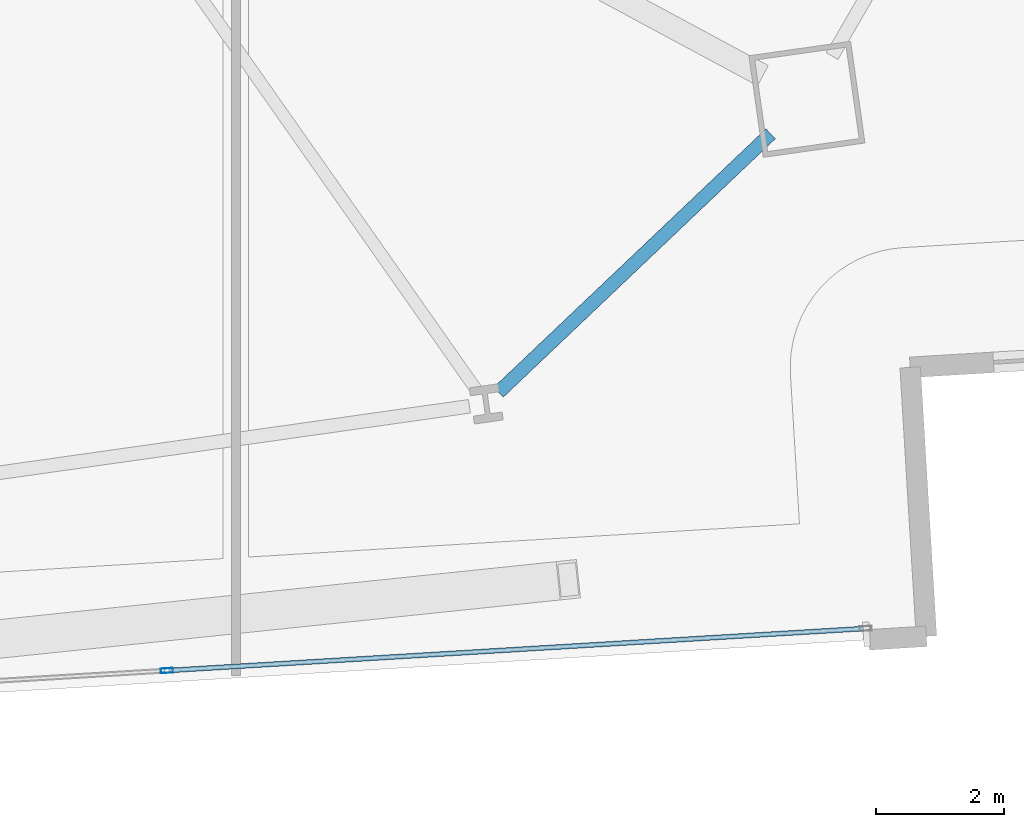
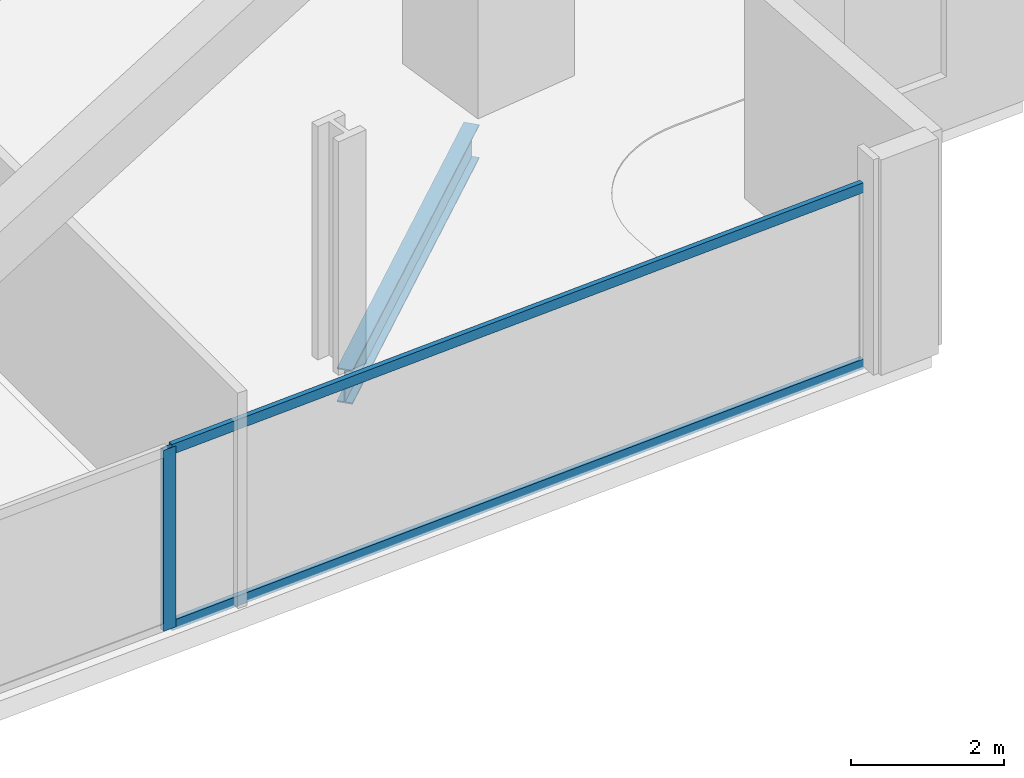
# One storey, part 9 of 34: 3 members, 1 beam, 1 element without a shape of its own.
"""IFC4 building model written with IfcOpenShell, lengths in metres."""

import ifcopenshell
import ifcopenshell.guid

model = None  # the IFC model being written
_history = None  # IfcOwnerHistory: only IFC2X3 demands one
_inside = {}  # id of a spatial element -> (the spatial element, [elements in it])
_under = {}  # id of a project, library or spatial element -> (it, [spatial elements below it])
_declared = {}  # id of a project -> (the project, [libraries it declares])
_typed = {}  # id of a type object -> (the type object, [elements of that type])
_made_of = {}  # id of a material, layer set ... -> (it, [elements and type objects made of it])


def new_model(schema):
    """Start an empty IFC model of exactly this schema.

    Asked for "IFC4X3", IfcOpenShell would pick the latest addendum, in which some entities
    have other attributes; the version numbers below select the first issue.
    IFC2X3 requires an IfcOwnerHistory on every rooted entity: one is made here for all.
    """
    global model, _history
    if schema == "IFC4X3":
        model = ifcopenshell.file(schema_version=(4, 3, 0, 0))
    else:
        model = ifcopenshell.file(schema=schema)
    _inside.clear()
    _under.clear()
    _declared.clear()
    _typed.clear()
    _made_of.clear()
    _history = None
    if model.schema == "IFC2X3":
        org = make("IfcOrganization", Name="unknown")
        user = make(
            "IfcPersonAndOrganization",
            ThePerson=make("IfcPerson", FamilyName="unknown"),
            TheOrganization=org,
        )
        app = make(
            "IfcApplication",
            ApplicationDeveloper=org,
            Version="unknown",
            ApplicationFullName="unknown",
            ApplicationIdentifier="unknown",
        )
        _history = make(
            "IfcOwnerHistory",
            OwningUser=user,
            OwningApplication=app,
            ChangeAction="ADDED",
            CreationDate=0,
        )
    return model


def make(cls, **values):
    """One entity of the class cls with the attributes given. An attribute that is None is left unset."""
    return model.create_entity(
        cls, **{name: value for name, value in values.items() if value is not None}
    )


def rooted(cls, **values):
    """An entity with a GlobalId (a new one), such as an element, a storey or a relation."""
    return make(cls, GlobalId=ifcopenshell.guid.new(), OwnerHistory=_history, **values)


def si_unit(unit_type, name, prefix=None):
    """IfcSIUnit, for example si_unit("LENGTHUNIT", "METRE", prefix="MILLI")."""
    return make("IfcSIUnit", UnitType=unit_type, Prefix=prefix, Name=name)


def assignment(units):
    """IfcUnitAssignment: the units of a project."""
    return None if units is None else make("IfcUnitAssignment", Units=units)


def point(xyz):
    """IfcCartesianPoint."""
    return None if xyz is None else make("IfcCartesianPoint", Coordinates=xyz)


def direction(xyz):
    """IfcDirection."""
    return None if xyz is None else make("IfcDirection", DirectionRatios=xyz)


def frame(location, z_axis=None, x_axis=None):
    """IfcAxis2Placement3D, a coordinate frame: its origin and axes. An axis left out is left unset."""
    return make(
        "IfcAxis2Placement3D",
        Location=point(location),
        Axis=direction(z_axis),
        RefDirection=direction(x_axis),
    )


def frame_2d(location, x_axis=None):
    """IfcAxis2Placement2D, a coordinate frame in the plane: its origin and x axis."""
    return make(
        "IfcAxis2Placement2D", Location=point(location), RefDirection=direction(x_axis)
    )


def origin():
    """The frame at (0, 0, 0) with its axes left unset."""
    return frame((0.0, 0.0, 0.0))


def origin_2d():
    """The frame at (0, 0) in the plane with its x axis left unset."""
    return frame_2d((0.0, 0.0))


def place(relative_to, where):
    """IfcLocalPlacement: puts the frame where relative to a parent placement (None: the world)."""
    return make(
        "IfcLocalPlacement", PlacementRelTo=relative_to, RelativePlacement=where
    )


def context(
    kind, dimensions, precision=None, world=None, true_north=None, identifier=None
):
    """IfcGeometricRepresentationContext, for example the 3D "Model" context."""
    return make(
        "IfcGeometricRepresentationContext",
        ContextIdentifier=identifier,
        ContextType=kind,
        CoordinateSpaceDimension=dimensions,
        Precision=precision,
        WorldCoordinateSystem=world,
        TrueNorth=true_north,
    )


def subcontext(parent, identifier, kind, view, scale=None):
    """IfcGeometricRepresentationSubContext, for example "Body" below "Model"."""
    return make(
        "IfcGeometricRepresentationSubContext",
        ContextIdentifier=identifier,
        ContextType=kind,
        ParentContext=parent,
        TargetScale=scale,
        TargetView=view,
    )


def project(units=None, contexts=None):
    """IfcProject with its units and contexts."""
    return rooted(
        "IfcProject",
        Name="project",
        RepresentationContexts=contexts,
        UnitsInContext=assignment(units),
    )


def spatial(cls, under=None, at=None, **own):
    """A site, building, storey or space (cls), placed at a placement, below another one or the project."""
    s = rooted(cls, ObjectPlacement=at, **own)
    if under is not None:
        _under.setdefault(under.id(), (under, []))[1].append(s)
    return s


def profile(cls, at=None, kind="AREA", **sizes):
    """A parametric profile (cls). Its sizes go by their IFC names, for example OverallWidth=200.0."""
    return make(cls, ProfileType=kind, Position=at, **sizes)


def hollow_rectangle(**sizes):
    """IfcRectangleHollowProfileDef."""
    return profile("IfcRectangleHollowProfileDef", **sizes)


def i_section(**sizes):
    """IfcIShapeProfileDef."""
    return profile("IfcIShapeProfileDef", **sizes)


def extrude(swept, where, along, depth):
    """IfcExtrudedAreaSolid: the profile swept, set in the frame where, extruded along a direction by depth."""
    return make(
        "IfcExtrudedAreaSolid",
        SweptArea=swept,
        Position=where,
        ExtrudedDirection=direction(along),
        Depth=depth,
    )


def shape(context_of_items, identifier, shape_type, items):
    """IfcShapeRepresentation: the items that make up one representation, for example the "Body"."""
    return make(
        "IfcShapeRepresentation",
        ContextOfItems=context_of_items,
        RepresentationIdentifier=identifier,
        RepresentationType=shape_type,
        Items=items,
    )


def material(Name=None, Category=None):
    """IfcMaterial."""
    return make("IfcMaterial", Name=Name, Category=Category)


def material_profile(
    of_material, cross_section, Name=None, Category=None, Priority=None
):
    """IfcMaterialProfile: a cross section and its material."""
    return make(
        "IfcMaterialProfile",
        Name=Name,
        Material=of_material,
        Profile=cross_section,
        Priority=Priority,
        Category=Category,
    )


def profile_set(profiles, Name=None, composite=None):
    """IfcMaterialProfileSet."""
    return make(
        "IfcMaterialProfileSet",
        Name=Name,
        MaterialProfiles=profiles,
        CompositeProfile=composite,
    )


def made_of(thing, what):
    """Note that an element or type object is made of a material, layer set ...; save() writes the relation."""
    if what is not None:
        _made_of.setdefault(what.id(), (what, []))[1].append(thing)
    return thing


def type_object(cls, material=None, **own):
    """A type object (cls), such as IfcWallType, which elements share."""
    return made_of(rooted(cls, **own), material)


def element(
    cls,
    number,
    at=None,
    inside=None,
    cuts=None,
    type_object=None,
    material=None,
    context=None,
    identifier="Body",
    shape_type=None,
    held_by="IfcProductDefinitionShape",
    body=None,
    shapes=None,
    **own,
):
    """One element of the class cls, such as IfcWall. Its Tag is "e" and its number.

    at: its placement. inside: the storey or other place that contains it. cuts: it is an
    opening in that element (IfcRelVoidsElement). A single representation is given by context,
    identifier, shape_type and body (its items); several are given by shapes. held_by: the class
    of the entity that holds the representations. save() writes the other relations.
    """
    e = rooted(cls, Tag="e%d" % number, ObjectPlacement=at, **own)
    if body is not None:
        shapes = [shape(context, identifier, shape_type, body)]
    if shapes is not None:
        e.Representation = make(held_by, Representations=shapes)
    if inside is not None:
        _inside.setdefault(inside.id(), (inside, []))[1].append(e)
    if cuts is not None:
        rooted(
            "IfcRelVoidsElement", RelatingBuildingElement=cuts, RelatedOpeningElement=e
        )
    if type_object is not None:
        _typed.setdefault(type_object.id(), (type_object, []))[1].append(e)
    return made_of(e, material)


def aggregate(whole, parts):
    """IfcRelAggregates: a whole, such as a stair, and the parts it consists of."""
    return rooted("IfcRelAggregates", RelatingObject=whole, RelatedObjects=parts)


def save(model, path):
    """Write the relations noted so far, then the file.

    IfcRelAggregates (storeys below a building ...), IfcRelContainedInSpatialStructure (elements
    in a storey), IfcRelDefinesByType, IfcRelAssociatesMaterial and IfcRelDeclares: one each for
    every whole, place, type object, material and project.
    """
    for whole, parts in _under.values():
        aggregate(whole, parts)
    for where, things in _inside.values():
        rooted(
            "IfcRelContainedInSpatialStructure",
            RelatedElements=things,
            RelatingStructure=where,
        )
    for kind, things in _typed.values():
        rooted("IfcRelDefinesByType", RelatedObjects=things, RelatingType=kind)
    for what, things in _made_of.values():
        rooted("IfcRelAssociatesMaterial", RelatedObjects=things, RelatingMaterial=what)
    for by, libraries in _declared.values():
        rooted("IfcRelDeclares", RelatingContext=by, RelatedDefinitions=libraries)
    model.write(path)


model = new_model("IFC4")

# Units and contexts
model_context = context("Model", 3, precision=1e-05, world=origin(), true_north=direction((0.0, 1.0)))
body_context = subcontext(model_context, "Body", "Model", "MODEL_VIEW")
ifc_project = project(units=[si_unit("LENGTHUNIT", "METRE"), si_unit("AREAUNIT", "SQUARE_METRE"), si_unit("VOLUMEUNIT", "CUBIC_METRE"), si_unit("PLANEANGLEUNIT", "RADIAN"), si_unit("MASSUNIT", "GRAM", prefix="KILO")], contexts=[model_context])

# Site, building, storey
site_placement = place(None, origin())
site = spatial("IfcSite", under=ifc_project, at=site_placement, CompositionType="ELEMENT")
building_placement = place(site_placement, origin())
building = spatial("IfcBuilding", under=site, at=building_placement, Name="Haldenkirk Collegiate Tower", CompositionType="ELEMENT")
storey_placement = place(building_placement, frame((0.0, 0.0, 40.199951171875)))
storey = spatial("IfcBuildingStorey", under=building, at=storey_placement, Name="L08", CompositionType="ELEMENT", Elevation=40.199951171875)

# Beam
ifc_material_1 = material(Name="Steel ASTM A992 Grade 50", Category="steel")
ifc_material_profile_1 = material_profile(ifc_material_1, i_section(OverallWidth=0.2119140625, OverallDepth=0.5439453125, WebThickness=0.01318359375, FlangeThickness=0.021240234375, at=origin_2d()), Name="W21X83")
ifc_profile_set_1 = profile_set([ifc_material_profile_1], Name="Steel ASTM A992 Grade 50")
beam_type = type_object("IfcBeamType", Name="BM-SPANDREL-W21X83", PredefinedType="SPANDREL", material=ifc_profile_set_1)
beam_placement = place(storey_placement, frame((53.594482421875, 6.222412109375, -0.58203125), z_axis=(0.725113023209, 0.688629874151, 0.0), x_axis=(-0.688629874151, 0.725113023209, 0.0)))
element("IfcBeam", 1, at=beam_placement, inside=storey, type_object=beam_type, Name="L08 perimeter spandrel beam 04", PredefinedType="SPANDREL", context=body_context, shape_type="SweptSolid", body=[
    extrude(i_section(OverallWidth=0.2119140625, OverallDepth=0.5439453125, WebThickness=0.01318359375, FlangeThickness=0.021240234375, at=origin_2d()), origin(), (0.0, 0.0, 1.0), 5.8486328125),
])

# Curtain wall, members
ifc_material_2 = material(Name="Anodised architectural bronze aluminium", Category="aluminium")
curtain_wall_type = type_object("IfcCurtainWallType", Name="CW-SYS2-CONCAVE", PredefinedType="USERDEFINED", material=ifc_material_2)
curtain_wall_placement = place(storey_placement, origin())
curtain_wall = element("IfcCurtainWall", 2, at=curtain_wall_placement, inside=storey, type_object=curtain_wall_type, Name="L08 South concave recessed bronze-anodised curtain wall", ObjectType="UNITISED CURTAIN WALL", PredefinedType="USERDEFINED")
ifc_material_profile_2 = material_profile(ifc_material_2, hollow_rectangle(XDim=0.074951171875, YDim=0.18994140625, WallThickness=0.0048828125, at=origin_2d()), Name="CW-MUL-02")
ifc_profile_set_2 = profile_set([ifc_material_profile_2], Name="Anodised architectural bronze aluminium")
member_type_1 = type_object("IfcMemberType", Name="CW-MUL-02", PredefinedType="MULLION", material=ifc_profile_set_2)
member_1_placement = place(storey_placement, frame((48.423828125, 1.884033203125, 0.0), z_axis=(0.0, 0.0, 1.0), x_axis=(0.060175971067, -0.99818778419, 0.0)))
member_1 = element("IfcMember", 3, at=member_1_placement, type_object=member_type_1, Name="CW-02 mullion 2", PredefinedType="MULLION", context=body_context, shape_type="SweptSolid", body=[
    extrude(hollow_rectangle(XDim=0.074951171875, YDim=0.18994140625, WallThickness=0.0048828125, at=origin_2d()), origin(), (0.0, 0.0, 1.0), 2.89111328125),
])
ifc_material_profile_3 = material_profile(ifc_material_2, hollow_rectangle(XDim=0.074951171875, YDim=0.159912109375, WallThickness=0.0048828125, at=origin_2d()), Name="CW-TRN-02")
ifc_profile_set_3 = profile_set([ifc_material_profile_3], Name="Anodised architectural bronze aluminium")
member_type_2 = type_object("IfcMemberType", Name="CW-TRN-02", PredefinedType="USERDEFINED", material=ifc_profile_set_3)
member_2_placement = place(storey_placement, frame((59.279052734375, 2.538330078125, 0.03759765625), z_axis=(-0.998188106412, -0.060170625868, 0.0), x_axis=(0.060170625868, -0.998188106412, 0.0)))
member_2 = element("IfcMember", 4, at=member_2_placement, type_object=member_type_2, Name="CW-02 transom 1.1", ObjectType="TRANSOM", PredefinedType="USERDEFINED", context=body_context, shape_type="SweptSolid", body=[
    extrude(hollow_rectangle(XDim=0.074951171875, YDim=0.159912109375, WallThickness=0.0048828125, at=origin_2d()), origin(), (0.0, 0.0, 1.0), 10.83740234375),
])
member_3_placement = place(storey_placement, frame((59.279052734375, 2.538330078125, 2.853515625), z_axis=(-0.998188106412, -0.060170625868, 0.0), x_axis=(0.060170625868, -0.998188106412, 0.0)))
member_3 = element("IfcMember", 5, at=member_3_placement, type_object=member_type_2, Name="CW-02 transom 1.2", ObjectType="TRANSOM", PredefinedType="USERDEFINED", context=body_context, shape_type="SweptSolid", body=[
    extrude(hollow_rectangle(XDim=0.074951171875, YDim=0.159912109375, WallThickness=0.0048828125, at=origin_2d()), origin(), (0.0, 0.0, 1.0), 10.83740234375),
])
aggregate(curtain_wall, [member_1, member_2, member_3])

save(model, "model.ifc")
